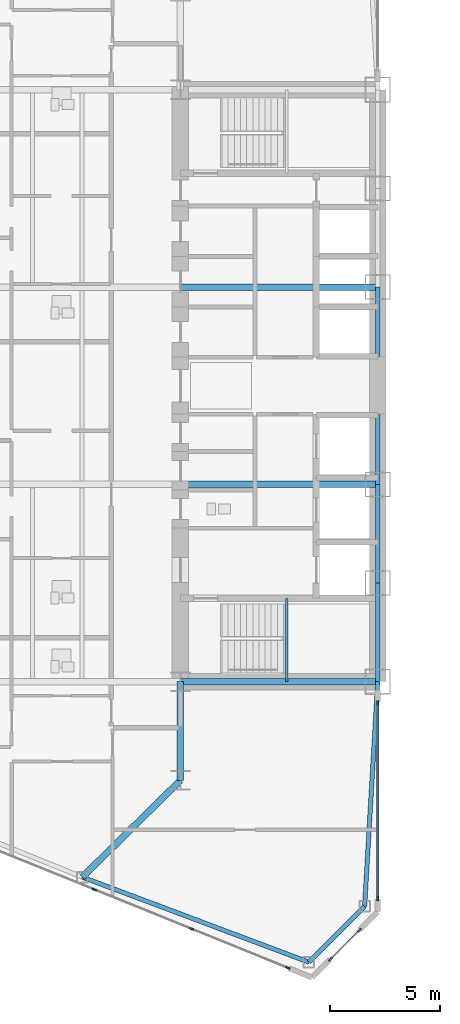
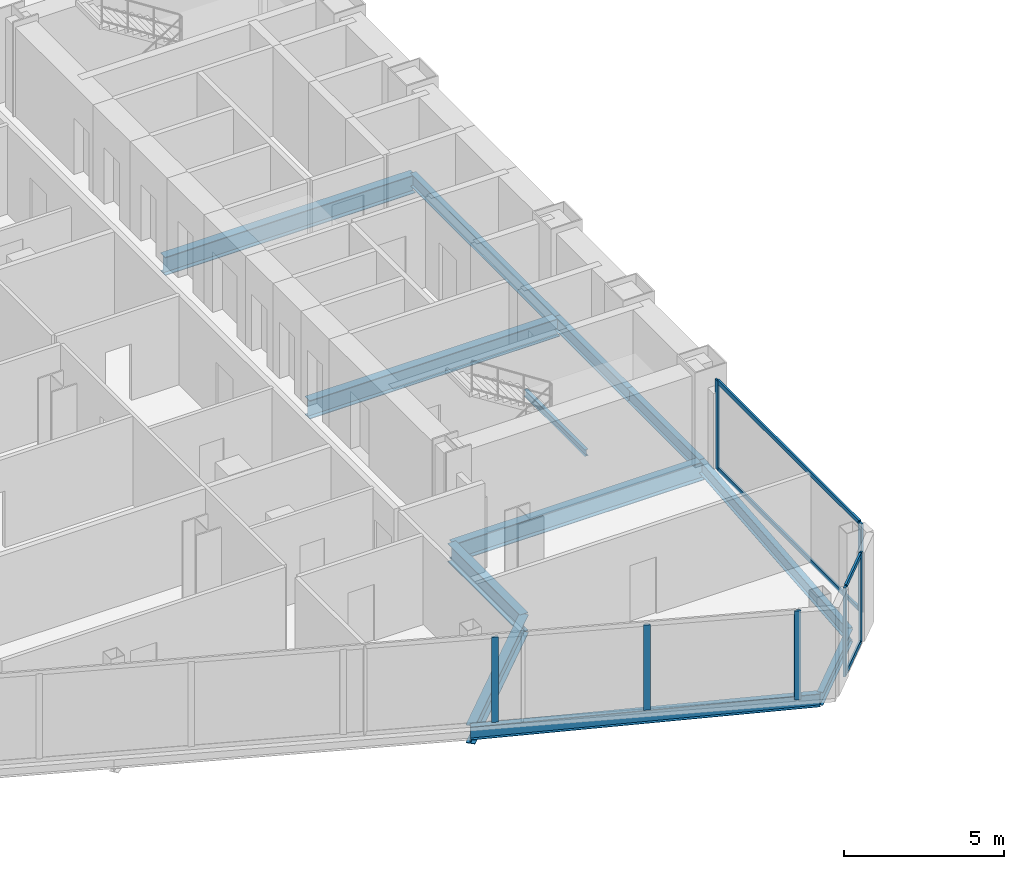
# One storey, part 5 of 25: 12 beams, 11 members, 3 elements without a shape of their own.
"""IFC4 building model written with IfcOpenShell, lengths in metres."""

from ifc_helpers import new_model, si_unit, direction, frame, origin, origin_2d, place, context, subcontext, project, spatial, rectangle, i_section, extrude, source, transform, mapped, material, layer, layer_set, material_profile, profile_set, type_object, type_shapes, element, aggregate, save


model = new_model("IFC4")

# Units and contexts
model_context = context("Model", 3, precision=1e-05, world=origin(), true_north=direction((0.0, 1.0)))
body_context = subcontext(model_context, "Body", "Model", "MODEL_VIEW")
ifc_project = project(units=[si_unit("LENGTHUNIT", "METRE"), si_unit("AREAUNIT", "SQUARE_METRE"), si_unit("VOLUMEUNIT", "CUBIC_METRE"), si_unit("PLANEANGLEUNIT", "RADIAN"), si_unit("MASSUNIT", "GRAM", prefix="KILO")], contexts=[model_context])

# Site, building, storey
site_placement = place(None, origin())
site = spatial("IfcSite", under=ifc_project, at=site_placement, CompositionType="ELEMENT")
building_placement = place(site_placement, origin())
building = spatial("IfcBuilding", under=site, at=building_placement, Name="Seokmaru Belvedere", CompositionType="ELEMENT")
storey_placement = place(building_placement, frame((0.0, 0.0, 33.300048828125)))
storey = spatial("IfcBuildingStorey", under=building, at=storey_placement, Name="L08", CompositionType="ELEMENT", Elevation=33.300048828125)

# Beams
ifc_material_1 = material(Name="Steel SM355 (355 MPa)", Category="steel")
ifc_material_profile_1 = material_profile(ifc_material_1, i_section(OverallWidth=0.199951171875, OverallDepth=0.5, WebThickness=0.010009765625, FlangeThickness=0.01611328125, at=origin_2d()), Name="H-500x200x10x16")
ifc_profile_set_1 = profile_set([ifc_material_profile_1], Name="Steel SM355 (355 MPa)")
beam_type_1 = type_object("IfcBeamType", Name="Perimeter Spandrel Beam H-500", PredefinedType="SPANDREL", material=ifc_profile_set_1)
shared_shape_1 = source(origin(), body_context, "Body", "SweptSolid", [
    extrude(i_section(OverallWidth=0.199951171875, OverallDepth=0.5, WebThickness=0.010009765625, FlangeThickness=0.01611328125, at=origin_2d()), origin(), (0.0, 0.0, 1.0), 4.5),
])
for number, where, z_axis, x_axis, name in (
    (1, (-27.5, -13.5, -0.469970703125), (0.0, 1.0, 0.0), (-1.0, 0.0, 0.0), "L08 W Portal Spine Spandrel 1"),
    (2, (-27.5, -9.0, -0.469970703125), (0.0, 1.0, 0.0), (-1.0, 0.0, 0.0), "L08 W Portal Spine Spandrel 2"),
):
    element("IfcBeam", number, at=place(storey_placement, frame(where, z_axis=z_axis, x_axis=x_axis)), inside=storey, type_object=beam_type_1, Name=name, PredefinedType="SPANDREL", context=body_context, shape_type="MappedRepresentation", body=[
        mapped(shared_shape_1, transform((0.0, 0.0, 0.0), scale=1.0)),
    ])
shared_shape_2 = source(origin(), body_context, "Body", "SweptSolid", [
    extrude(i_section(OverallWidth=0.199951171875, OverallDepth=0.5, WebThickness=0.010009765625, FlangeThickness=0.01611328125, at=origin_2d()), origin(), (0.0, 0.0, 1.0), 9.0),
])
beam_1_placement = place(storey_placement, frame((-27.5, -4.5, -0.469970703125), z_axis=(0.0, 1.0, 0.0), x_axis=(-1.0, 0.0, 0.0)))
element("IfcBeam", 3, at=beam_1_placement, inside=storey, type_object=beam_type_1, Name="L08 W Portal Spine Spandrel 3", PredefinedType="SPANDREL", context=body_context, shape_type="MappedRepresentation", body=[
    mapped(shared_shape_2, transform((0.0, 0.0, 0.0), scale=1.0)),
])
ifc_material_profile_2 = material_profile(ifc_material_1, i_section(OverallWidth=0.300048828125, OverallDepth=0.699951171875, WebThickness=0.012939453125, FlangeThickness=0.02392578125, at=origin_2d()), Name="H-700x300x13x24")
ifc_profile_set_2 = profile_set([ifc_material_profile_2], Name="Steel SM355 (355 MPa)")
beam_type_2 = type_object("IfcBeamType", Name="Primary Floor Girder H-700", PredefinedType="BEAM", material=ifc_profile_set_2)
shared_shape_3 = source(origin(), body_context, "Body", "SweptSolid", [
    extrude(i_section(OverallWidth=0.300048828125, OverallDepth=0.699951171875, WebThickness=0.012939453125, FlangeThickness=0.02392578125, at=origin_2d()), origin(), (0.0, 0.0, 1.0), 4.5),
])
beam_2_placement = place(storey_placement, frame((-36.5, -18.0, -0.570068359375), z_axis=(0.0, 1.0, 0.0), x_axis=(-1.0, 0.0, 0.0)))
element("IfcBeam", 4, at=beam_2_placement, inside=storey, type_object=beam_type_2, Name="L08 W Core Shoulder Girder S", PredefinedType="BEAM", context=body_context, shape_type="MappedRepresentation", body=[
    mapped(shared_shape_3, transform((0.0, 0.0, 0.0), scale=1.0)),
])
shared_shape_4 = source(origin(), body_context, "Body", "SweptSolid", [
    extrude(i_section(OverallWidth=0.300048828125, OverallDepth=0.699951171875, WebThickness=0.012939453125, FlangeThickness=0.02392578125, at=origin_2d()), origin(), (0.0, 0.0, 1.0), 9.0),
])
for number, where, z_axis, x_axis, name in (
    (5, (-36.5, -13.5, -0.570068359375), (1.0, 0.0, 0.0), (0.0, 1.0, 0.0), "L08 W Core Tie Girder 1"),
    (6, (-36.5, -4.5, -0.570068359375), (1.0, 0.0, 0.0), (0.0, 1.0, 0.0), "L08 W Core Tie Girder 2"),
    (7, (-36.5, 4.5, -0.570068359375), (1.0, 0.0, 0.0), (0.0, 1.0, 0.0), "L08 W Core Tie Girder 3"),
):
    element("IfcBeam", number, at=place(storey_placement, frame(where, z_axis=z_axis, x_axis=x_axis)), inside=storey, type_object=beam_type_2, Name=name, PredefinedType="BEAM", context=body_context, shape_type="MappedRepresentation", body=[
        mapped(shared_shape_4, transform((0.0, 0.0, 0.0), scale=1.0)),
    ])
shared_shape_5 = source(origin(), body_context, "Body", "SweptSolid", [
    extrude(i_section(OverallWidth=0.199951171875, OverallDepth=0.5, WebThickness=0.010009765625, FlangeThickness=0.01611328125, at=origin_2d()), origin(), (0.0, 0.0, 1.0), 11.03857421875),
])
beam_3_placement = place(storey_placement, frame((-30.643310546875, -26.294677734375, -0.469970703125), z_axis=(-0.936169110734, 0.351549990907, 0.0), x_axis=(-0.351549990907, -0.936169110734, 0.0)))
element("IfcBeam", 8, at=beam_3_placement, inside=storey, type_object=beam_type_1, Name="L08 W Faceted Flank Spandrel S-1", PredefinedType="SPANDREL", context=body_context, shape_type="MappedRepresentation", body=[
    mapped(shared_shape_5, transform((0.0, 0.0, 0.0), scale=1.0)),
])
shared_shape_6 = source(origin(), body_context, "Body", "SweptSolid", [
    extrude(i_section(OverallWidth=0.199951171875, OverallDepth=0.5, WebThickness=0.010009765625, FlangeThickness=0.01611328125, at=origin_2d()), origin(), (0.0, 0.0, 1.0), 3.5966796875),
])
beam_4_placement = place(storey_placement, frame((-30.643310546875, -26.294677734375, -0.469970703125), z_axis=(0.707106781187, 0.707106781187, 0.0), x_axis=(-0.707106781187, 0.707106781187, 0.0)))
element("IfcBeam", 9, at=beam_4_placement, inside=storey, type_object=beam_type_1, Name="L08 W Shoulder Chamfer Spandrel S", PredefinedType="SPANDREL", context=body_context, shape_type="MappedRepresentation", body=[
    mapped(shared_shape_6, transform((0.0, 0.0, 0.0), scale=1.0)),
])
shared_shape_7 = source(origin(), body_context, "Body", "SweptSolid", [
    extrude(i_section(OverallWidth=0.199951171875, OverallDepth=0.5, WebThickness=0.010009765625, FlangeThickness=0.01611328125, at=origin_2d()), origin(), (0.0, 0.0, 1.0), 10.26904296875),
])
type_shapes(beam_type_1, [shared_shape_1, shared_shape_2, shared_shape_5, shared_shape_6, shared_shape_7])
beam_5_placement = place(storey_placement, frame((-28.10009765625, -23.75146484375, -0.469970703125), z_axis=(0.058437709399, 0.998291056817, 0.0), x_axis=(-0.998291056817, 0.058437709399, 0.0)))
element("IfcBeam", 10, at=beam_5_placement, inside=storey, type_object=beam_type_1, Name="L08 W Shoulder Spine Spandrel S", PredefinedType="SPANDREL", context=body_context, shape_type="MappedRepresentation", body=[
    mapped(shared_shape_7, transform((0.0, 0.0, 0.0), scale=1.0)),
])
shared_shape_8 = source(origin(), body_context, "Body", "SweptSolid", [
    extrude(i_section(OverallWidth=0.300048828125, OverallDepth=0.699951171875, WebThickness=0.012939453125, FlangeThickness=0.02392578125, at=origin_2d()), origin(), (0.0, 0.0, 1.0), 6.287353515625),
])
type_shapes(beam_type_2, [shared_shape_3, shared_shape_4, shared_shape_8])
beam_6_placement = place(storey_placement, frame((-40.977294921875, -22.4140625, -0.570068359375), z_axis=(0.712117485263, 0.702060315915, 0.0), x_axis=(-0.702060315915, 0.712117485263, 0.0)))
element("IfcBeam", 11, at=beam_6_placement, inside=storey, type_object=beam_type_2, Name="L08 W Flank Radial Floor Girder S-1", PredefinedType="BEAM", context=body_context, shape_type="MappedRepresentation", body=[
    mapped(shared_shape_8, transform((0.0, 0.0, 0.0), scale=1.0)),
])

# Curtain wall, members
ifc_material_2 = material(Name="Bronze Triple Insulating Glass", Category="glass")
ifc_layer = layer(ifc_material_2, 0.2099609375)
ifc_layer_set = layer_set([ifc_layer], Name="Bronze Triple Insulating Glass")
curtain_wall_type = type_object("IfcCurtainWallType", Name="Low-Rise Faceted Crystal Curtain Wall System CW-2", PredefinedType="NOTDEFINED", material=ifc_layer_set)
curtain_wall_1_placement = place(storey_placement, origin())
curtain_wall_1 = element("IfcCurtainWall", 12, at=curtain_wall_1_placement, inside=storey, type_object=curtain_wall_type, Name="L08 Curtain Wall WSP_1", PredefinedType="NOTDEFINED")
ifc_material_3 = material(Name="Anodised Bronze Aluminium", Category="aluminium")
ifc_material_profile_3 = material_profile(ifc_material_3, rectangle(XDim=0.070068359375, YDim=0.1650390625, at=origin_2d()), Name="CW-T-70x165")
ifc_profile_set_3 = profile_set([ifc_material_profile_3], Name="Anodised Bronze Aluminium")
member_type_1 = type_object("IfcMemberType", Name="Bronze Unitised Transom 70x165", PredefinedType="USERDEFINED", material=ifc_profile_set_3)
shared_shape_9 = source(origin(), body_context, "Body", "SweptSolid", [
    extrude(rectangle(XDim=0.070068359375, YDim=0.1650390625, at=origin_2d()), origin(), (0.0, 0.0, 1.0), 8.85009765625),
])
member_1_placement = place(storey_placement, frame((-27.5, -23.35498046875, 0.034912109375), z_axis=(0.0, 1.0, 0.0), x_axis=(-1.0, 0.0, 0.0)))
member_1 = element("IfcMember", 13, at=member_1_placement, type_object=member_type_1, Name="CW:L08:WSP_1 Continuous Transom 1", ObjectType="TRANSOM", PredefinedType="USERDEFINED", context=body_context, shape_type="MappedRepresentation", body=[
    mapped(shared_shape_9, transform((0.0, 0.0, 0.0), scale=1.0)),
])
member_2_placement = place(storey_placement, frame((-27.5, -23.35498046875, 3.344970703125), z_axis=(0.0, 1.0, 0.0), x_axis=(-1.0, 0.0, 0.0)))
member_2 = element("IfcMember", 14, at=member_2_placement, type_object=member_type_1, Name="CW:L08:WSP_1 Continuous Transom 2", ObjectType="TRANSOM", PredefinedType="USERDEFINED", context=body_context, shape_type="MappedRepresentation", body=[
    mapped(shared_shape_9, transform((0.0, 0.0, 0.0), scale=1.0)),
])

curtain_wall_2_placement = place(storey_placement, origin())
curtain_wall_2 = element("IfcCurtainWall", 15, at=curtain_wall_2_placement, inside=storey, type_object=curtain_wall_type, Name="L08 Curtain Wall WF6", PredefinedType="NOTDEFINED")
shared_shape_10 = source(origin(), body_context, "Body", "SweptSolid", [
    extrude(rectangle(XDim=0.070068359375, YDim=0.1650390625, at=origin_2d()), origin(), (0.0, 0.0, 1.0), 1.792724609375),
])
type_shapes(member_type_1, [shared_shape_9, shared_shape_10])
member_3_placement = place(storey_placement, frame((-29.6337890625, -26.1337890625, 0.034912109375), z_axis=(0.707106781187, 0.707106781187, 0.0), x_axis=(-0.707106781187, 0.707106781187, 0.0)))
member_3 = element("IfcMember", 16, at=member_3_placement, type_object=member_type_1, Name="CW:L08:WF6 Continuous Transom 1", ObjectType="TRANSOM", PredefinedType="USERDEFINED", context=body_context, shape_type="MappedRepresentation", body=[
    mapped(shared_shape_10, transform((0.0, 0.0, 0.0), scale=1.0)),
])
member_4_placement = place(storey_placement, frame((-29.6337890625, -26.1337890625, 3.344970703125), z_axis=(0.707106781187, 0.707106781187, 0.0), x_axis=(-0.707106781187, 0.707106781187, 0.0)))
member_4 = element("IfcMember", 17, at=member_4_placement, type_object=member_type_1, Name="CW:L08:WF6 Continuous Transom 2", ObjectType="TRANSOM", PredefinedType="USERDEFINED", context=body_context, shape_type="MappedRepresentation", body=[
    mapped(shared_shape_10, transform((0.0, 0.0, 0.0), scale=1.0)),
])

curtain_wall_3_placement = place(storey_placement, origin())
curtain_wall_3 = element("IfcCurtainWall", 18, at=curtain_wall_3_placement, inside=storey, type_object=curtain_wall_type, Name="L08 Curtain Wall WF5", PredefinedType="NOTDEFINED")
ifc_material_profile_4 = material_profile(ifc_material_3, rectangle(XDim=0.074951171875, YDim=0.2099609375, at=origin_2d()), Name="CW-M-75x210")
ifc_profile_set_4 = profile_set([ifc_material_profile_4], Name="Anodised Bronze Aluminium")
member_type_2 = type_object("IfcMemberType", Name="Bronze Unitised Mullion 75x210", PredefinedType="MULLION", material=ifc_profile_set_4)
shared_shape_11 = source(origin(), body_context, "Body", "SweptSolid", [
    extrude(rectangle(XDim=0.074951171875, YDim=0.2099609375, at=origin_2d()), origin(), (0.0, 0.0, 1.0), 3.239990234375),
])
member_5_placement = place(storey_placement, frame((-40.425537109375, -22.982421875, 0.070068359375), z_axis=(0.0, 0.0, 1.0), x_axis=(0.375192321888, 0.926946989637, 0.0)))
member_5 = element("IfcMember", 19, at=member_5_placement, type_object=member_type_2, Name="CW:L08:WF5 Mullion 8", PredefinedType="MULLION", context=body_context, shape_type="MappedRepresentation", body=[
    mapped(shared_shape_11, transform((0.0, 0.0, 0.0), scale=1.0)),
])
member_6_placement = place(storey_placement, frame((-35.995849609375, -24.775390625, 0.070068359375), z_axis=(0.0, 0.0, 1.0), x_axis=(0.375192321888, 0.926946989637, 0.0)))
member_6 = element("IfcMember", 20, at=member_6_placement, type_object=member_type_2, Name="CW:L08:WF5 Mullion 9", PredefinedType="MULLION", context=body_context, shape_type="MappedRepresentation", body=[
    mapped(shared_shape_11, transform((0.0, 0.0, 0.0), scale=1.0)),
])

# Member
shared_shape_12 = source(origin(), body_context, "Body", "SweptSolid", [
    extrude(rectangle(XDim=0.074951171875, YDim=0.2099609375, at=origin_2d()), origin(), (0.0, 0.0, 1.0), 3.3798828125),
])
type_shapes(member_type_2, [shared_shape_11, shared_shape_12])
member_7_placement = place(storey_placement, frame((-27.5, -23.392578125, 0.0), z_axis=(0.0, 0.0, 1.0), x_axis=(-1.0, 0.0, 0.0)))
member_7 = element("IfcMember", 21, at=member_7_placement, type_object=member_type_2, Name="CW:L08:WSP_1 Mullion 1", PredefinedType="MULLION", context=body_context, shape_type="MappedRepresentation", body=[
    mapped(shared_shape_12, transform((0.0, 0.0, 0.0), scale=1.0)),
])

member_8_placement = place(storey_placement, frame((-27.5, -14.467529296875, 0.0), z_axis=(0.0, 0.0, 1.0), x_axis=(-1.0, 0.0, 0.0)))
member_8 = element("IfcMember", 22, at=member_8_placement, type_object=member_type_2, Name="CW:L08:WSP_1 Mullion 2", PredefinedType="MULLION", context=body_context, shape_type="MappedRepresentation", body=[
    mapped(shared_shape_12, transform((0.0, 0.0, 0.0), scale=1.0)),
])

aggregate(curtain_wall_1, [member_7, member_8, member_1, member_2])

member_9_placement = place(storey_placement, frame((-31.600830078125, -26.554443359375, 0.0), z_axis=(0.0, 0.0, 1.0), x_axis=(0.375192321888, 0.926946989637, 0.0)))
member_9 = element("IfcMember", 23, at=member_9_placement, type_object=member_type_2, Name="CW:L08:WF5 Mullion 10", PredefinedType="MULLION", context=body_context, shape_type="MappedRepresentation", body=[
    mapped(shared_shape_12, transform((0.0, 0.0, 0.0), scale=1.0)),
])

aggregate(curtain_wall_3, [member_5, member_6, member_9])

member_10_placement = place(storey_placement, frame((-29.660400390625, -26.160400390625, 0.0), z_axis=(0.0, 0.0, 1.0), x_axis=(-0.707106781187, 0.707106781187, 0.0)))
member_10 = element("IfcMember", 24, at=member_10_placement, type_object=member_type_2, Name="CW:L08:WF6 Mullion 1", PredefinedType="MULLION", context=body_context, shape_type="MappedRepresentation", body=[
    mapped(shared_shape_12, transform((0.0, 0.0, 0.0), scale=1.0)),
])

member_11_placement = place(storey_placement, frame((-28.339599609375, -24.839599609375, 0.0), z_axis=(0.0, 0.0, 1.0), x_axis=(-0.707106781187, 0.707106781187, 0.0)))
member_11 = element("IfcMember", 25, at=member_11_placement, type_object=member_type_2, Name="CW:L08:WF6 Mullion 2", PredefinedType="MULLION", context=body_context, shape_type="MappedRepresentation", body=[
    mapped(shared_shape_12, transform((0.0, 0.0, 0.0), scale=1.0)),
])

aggregate(curtain_wall_2, [member_10, member_11, member_3, member_4])

# Beam
ifc_material_profile_5 = material_profile(ifc_material_1, i_section(OverallWidth=0.125, OverallDepth=0.25, WebThickness=0.006103515625, FlangeThickness=0.009033203125, at=origin_2d()), Name="H-250x125x6x9")
ifc_profile_set_5 = profile_set([ifc_material_profile_5], Name="Steel SM355 (355 MPa)")
beam_type_3 = type_object("IfcBeamType", Name="Stair Mid-Landing Support Beam H-250", PredefinedType="JOIST", material=ifc_profile_set_5)
shared_shape_13 = source(origin(), body_context, "Body", "SweptSolid", [
    extrude(i_section(OverallWidth=0.125, OverallDepth=0.25, WebThickness=0.006103515625, FlangeThickness=0.009033203125, at=origin_2d()), origin(), (0.0, 0.0, 1.0), 3.800048828125),
])
type_shapes(beam_type_3, [shared_shape_13])
beam_7_placement = place(storey_placement, frame((-31.64990234375, -13.5, 1.474853515625), z_axis=(0.0, 1.0, 0.0), x_axis=(-1.0, 0.0, 0.0)))
element("IfcBeam", 26, at=beam_7_placement, inside=storey, type_object=beam_type_3, Name="L08 Stair ST-W1 Mid-Landing Support Beam 1", PredefinedType="JOIST", context=body_context, shape_type="MappedRepresentation", body=[
    mapped(shared_shape_13, transform((0.0, 0.0, 0.0), scale=1.0)),
])

save(model, "model.ifc")
